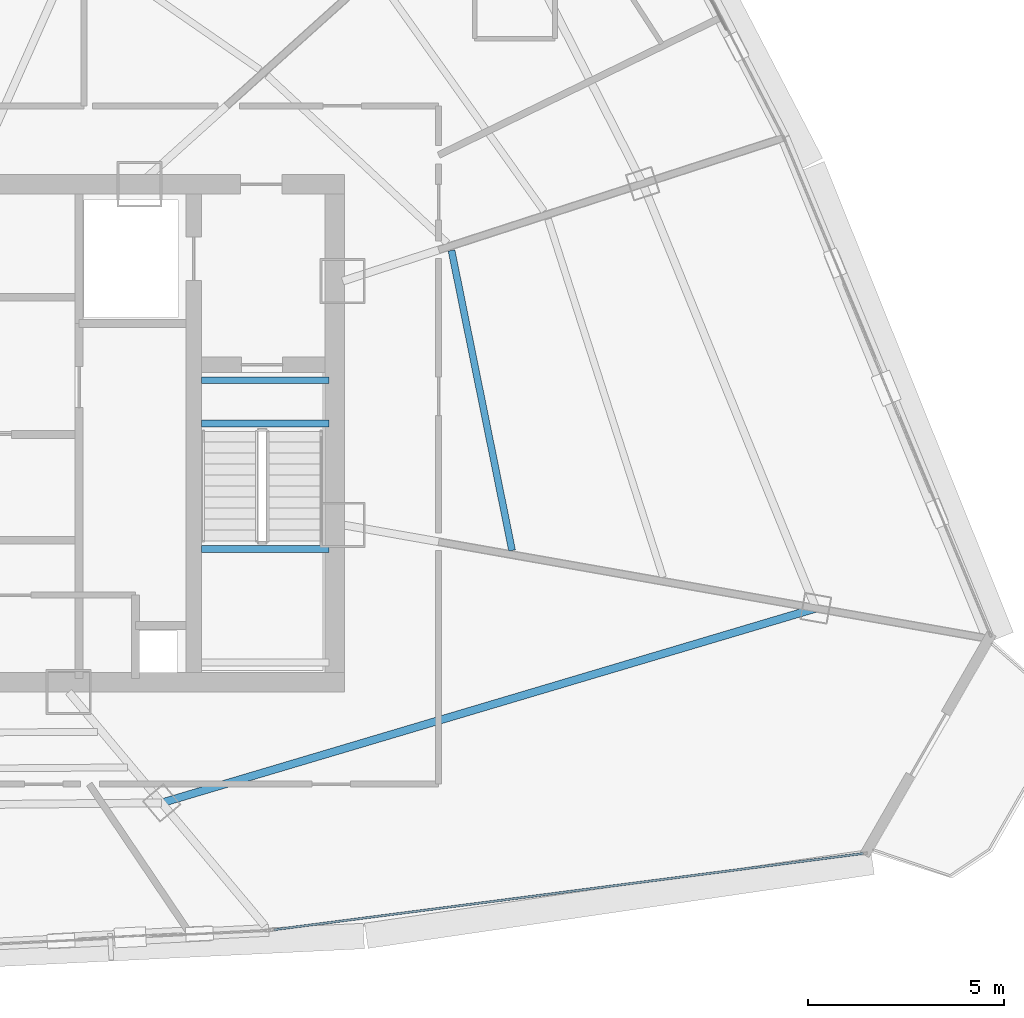
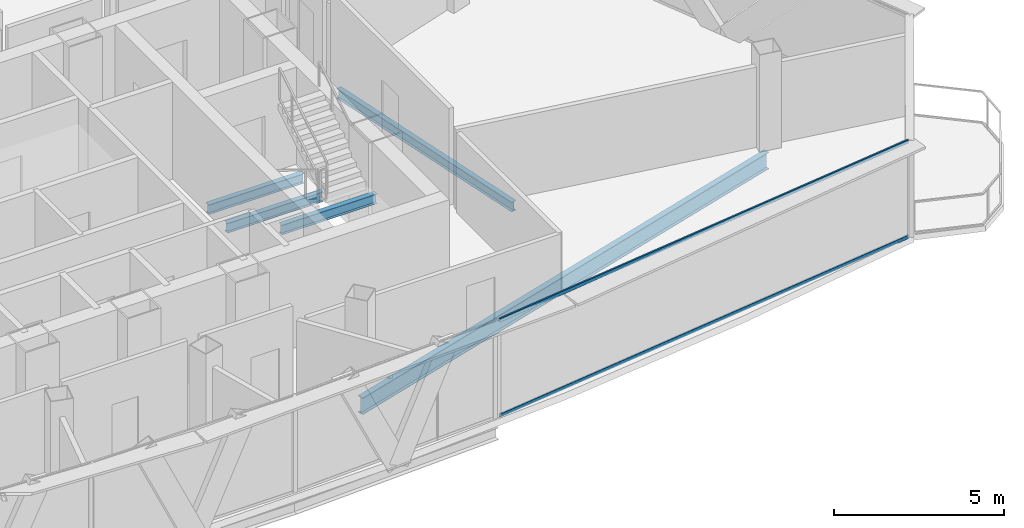
# One storey, part 13 of 33: 5 beams, 2 members, 1 element without a shape of its own.
"""IFC4 building model written with IfcOpenShell, lengths in metres."""

from ifc_helpers import new_model, si_unit, direction, frame, origin, origin_2d, place, context, subcontext, project, spatial, hollow_rectangle, i_section, extrude, source, transform, mapped, material, layer, layer_set, material_profile, profile_set, type_object, element, aggregate, save


model = new_model("IFC4")

# Units and contexts
model_context = context("Model", 3, precision=1e-05, world=origin(), true_north=direction((0.0, 1.0)))
body_context = subcontext(model_context, "Body", "Model", "MODEL_VIEW")
ifc_project = project(units=[si_unit("LENGTHUNIT", "METRE"), si_unit("AREAUNIT", "SQUARE_METRE"), si_unit("VOLUMEUNIT", "CUBIC_METRE"), si_unit("PLANEANGLEUNIT", "RADIAN"), si_unit("MASSUNIT", "GRAM", prefix="KILO"), si_unit("THERMODYNAMICTEMPERATUREUNIT", "KELVIN"), si_unit("POWERUNIT", "WATT")], contexts=[model_context])

# Site, building, storey
site_placement = place(None, origin())
site = spatial("IfcSite", under=ifc_project, at=site_placement, CompositionType="ELEMENT")
building_placement = place(site_placement, origin())
building = spatial("IfcBuilding", under=site, at=building_placement, Name="Yunzhuo Pagoda Commons", CompositionType="ELEMENT")
storey_placement = place(building_placement, frame((0.0, 0.0, 329.260009765625)))
storey = spatial("IfcBuildingStorey", under=building, at=storey_placement, Name="L82", CompositionType="ELEMENT", Elevation=329.260009765625)

# Beams
ifc_material_1 = material(Name="Structural steel Q355B", Category="steel")
ifc_material_profile_1 = material_profile(ifc_material_1, i_section(OverallWidth=0.175048828125, OverallDepth=0.35009765625, WebThickness=0.007080078125, FlangeThickness=0.010986328125, at=origin_2d()), Name="Structural steel Q355B")
ifc_profile_set_1 = profile_set([ifc_material_profile_1], Name="Structural steel Q355B")
beam_type_1 = type_object("IfcBeamType", Name="B-JS2 Joist HN 350x175x7x11", PredefinedType="JOIST", material=ifc_profile_set_1)
shared_shape_1 = source(origin(), body_context, "Body", "SweptSolid", [
    extrude(i_section(OverallWidth=0.175048828125, OverallDepth=0.35009765625, WebThickness=0.007080078125, FlangeThickness=0.010986328125, at=origin_2d()), origin(), (0.0, 0.0, 1.0), 3.25),
])
for number, where, z_axis, x_axis, name in (
    (1, (56.800048828125, 30.89990234375, 1.5), (1.0, 0.0, 0.0), (0.0, 1.0, 0.0), "L82 ST2 landing support beam 88B"),
    (2, (56.800048828125, 34.10009765625, -0.375), (1.0, 0.0, 0.0), (0.0, 1.0, 0.0), "L82 ST2 landing support beam 186A"),
    (3, (56.800048828125, 35.199951171875, -0.375), (1.0, 0.0, 0.0), (0.0, 1.0, 0.0), "L82 ST2 landing support beam 186B"),
):
    element("IfcBeam", number, at=place(storey_placement, frame(where, z_axis=z_axis, x_axis=x_axis)), inside=storey, type_object=beam_type_1, Name=name, PredefinedType="JOIST", context=body_context, shape_type="MappedRepresentation", body=[
        mapped(shared_shape_1, transform((0.0, 0.0, 0.0), scale=1.0)),
    ])
ifc_material_profile_2 = material_profile(ifc_material_1, i_section(OverallWidth=0.199951171875, OverallDepth=0.60009765625, WebThickness=0.010986328125, FlangeThickness=0.01708984375, at=origin_2d()), Name="Structural steel Q355B")
ifc_profile_set_2 = profile_set([ifc_material_profile_2], Name="Structural steel Q355B")
beam_type_2 = type_object("IfcBeamType", Name="B-RG3 Beam HN 600x200x11x17", PredefinedType="BEAM", material=ifc_profile_set_2)
shared_shape_2 = source(origin(), body_context, "Body", "SweptSolid", [
    extrude(i_section(OverallWidth=0.199951171875, OverallDepth=0.60009765625, WebThickness=0.010986328125, FlangeThickness=0.01708984375, at=origin_2d()), origin(), (0.0, 0.0, 1.0), 17.407470703125),
])
beam_1_placement = place(storey_placement, frame((55.785400390625, 24.421630859375, -0.56005859375), z_axis=(0.958484984609, 0.285143006717, 0.0), x_axis=(-0.285143006717, 0.958484984609, 0.0)))
element("IfcBeam", 4, at=beam_1_placement, inside=storey, type_object=beam_type_2, Name="L82 column-ring beam 4", PredefinedType="BEAM", context=body_context, shape_type="MappedRepresentation", body=[
    mapped(shared_shape_2, transform((0.0, 0.0, 0.0), scale=1.0)),
])
shared_shape_3 = source(origin(), body_context, "Body", "SweptSolid", [
    extrude(i_section(OverallWidth=0.175048828125, OverallDepth=0.35009765625, WebThickness=0.007080078125, FlangeThickness=0.010986328125, at=origin_2d()), origin(), (0.0, 0.0, 1.0), 7.8056640625),
])
beam_2_placement = place(storey_placement, frame((64.722412109375, 30.860107421875, -0.43505859375), z_axis=(-0.197830082137, 0.980236327934, 0.0), x_axis=(-0.980236327934, -0.197830082137, 0.0)))
element("IfcBeam", 5, at=beam_2_placement, inside=storey, type_object=beam_type_1, Name="L82 composite ring joist 1.5", PredefinedType="JOIST", context=body_context, shape_type="MappedRepresentation", body=[
    mapped(shared_shape_3, transform((0.0, 0.0, 0.0), scale=1.0)),
])

# Curtain wall, members
ifc_material_2 = material(Name="Anodized aluminium 6063-T6", Category="aluminium")
ifc_layer = layer(ifc_material_2, 0.139892578125)
ifc_layer_set = layer_set([ifc_layer], Name="Anodized aluminium 6063-T6")
curtain_wall_type = type_object("IfcCurtainWallType", Name="CW-HI High-Zone Ribbon Curtain Wall", PredefinedType="NOTDEFINED", material=ifc_layer_set)
curtain_wall_placement = place(storey_placement, origin())
curtain_wall = element("IfcCurtainWall", 6, at=curtain_wall_placement, inside=storey, type_object=curtain_wall_type, Name="L82 curtain wall CW-L82-F1B5", PredefinedType="NOTDEFINED")
ifc_material_profile_3 = material_profile(ifc_material_2, hollow_rectangle(XDim=0.054931640625, YDim=0.1201171875, WallThickness=0.00341796875, at=origin_2d()), Name="Anodized aluminium 6063-T6")
ifc_profile_set_3 = profile_set([ifc_material_profile_3], Name="Anodized aluminium 6063-T6")
member_type = type_object("IfcMemberType", Name="CW-HI-T Transom RHS 120x55x3.5", PredefinedType="USERDEFINED", material=ifc_profile_set_3)
shared_shape_4 = source(origin(), body_context, "Body", "SweptSolid", [
    extrude(hollow_rectangle(XDim=0.054931640625, YDim=0.1201171875, WallThickness=0.00341796875, at=origin_2d()), origin(), (0.0, 0.0, 1.0), 15.1572265625),
])
member_1_placement = place(storey_placement, frame((58.648193359375, 21.186767578125, 0.027587890625), z_axis=(0.991736202571, 0.128293821011, 0.0), x_axis=(-0.128293821011, 0.991736202571, 0.0)))
member_1 = element("IfcMember", 7, at=member_1_placement, type_object=member_type, Name="CW transom 1.1", ObjectType="TRANSOM", PredefinedType="USERDEFINED", context=body_context, shape_type="MappedRepresentation", body=[
    mapped(shared_shape_4, transform((0.0, 0.0, 0.0), scale=1.0)),
])
member_2_placement = place(storey_placement, frame((58.648193359375, 21.186767578125, 3.46240234375), z_axis=(0.991736202571, 0.128293821011, 0.0), x_axis=(-0.128293821011, 0.991736202571, 0.0)))
member_2 = element("IfcMember", 8, at=member_2_placement, type_object=member_type, Name="CW transom 1.2", ObjectType="TRANSOM", PredefinedType="USERDEFINED", context=body_context, shape_type="MappedRepresentation", body=[
    mapped(shared_shape_4, transform((0.0, 0.0, 0.0), scale=1.0)),
])
aggregate(curtain_wall, [member_1, member_2])

save(model, "model.ifc")
